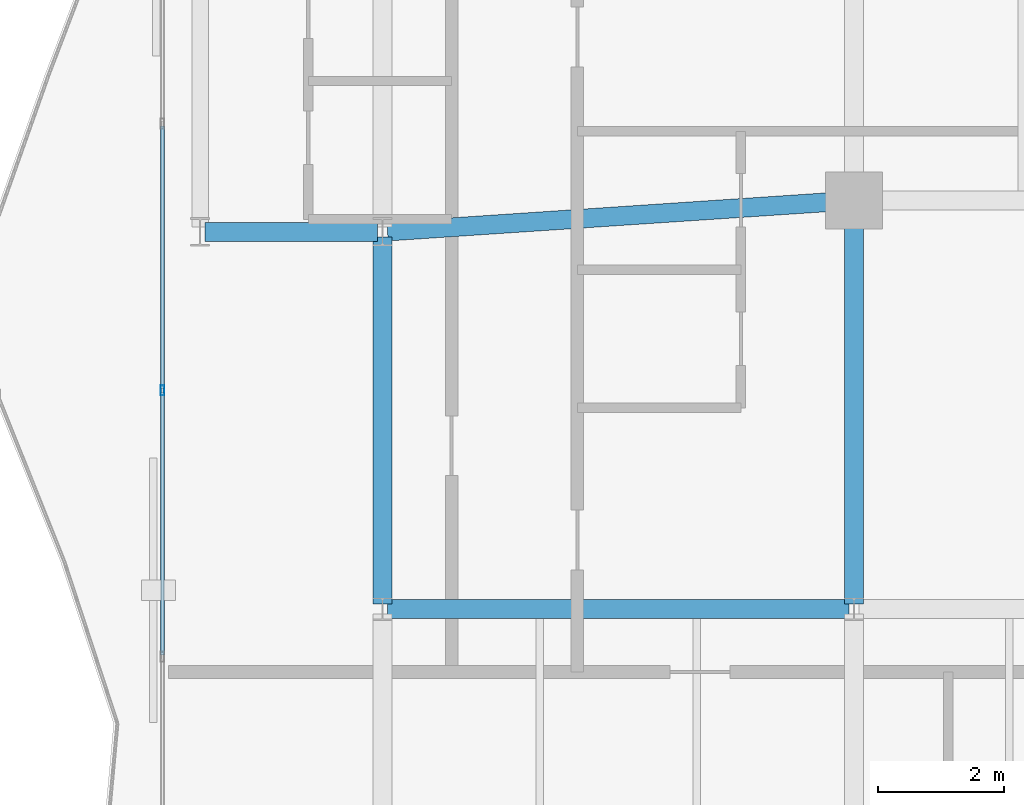
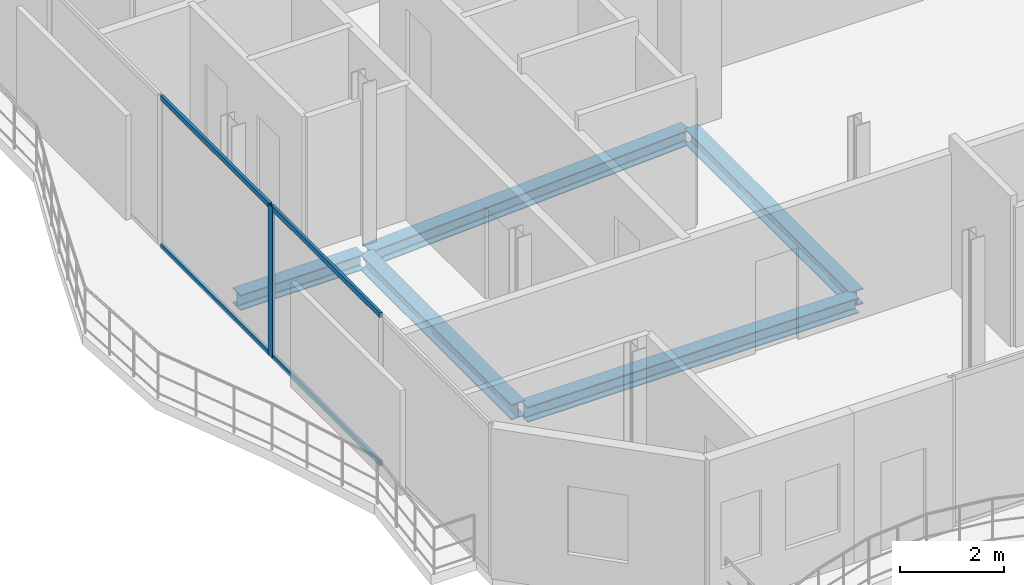
# One storey, part 6 of 23: 5 beams, 5 members, 1 element without a shape of its own.
"""IFC4 building model written with IfcOpenShell, lengths in metres."""

from ifc_helpers import new_model, si_unit, direction, frame, origin, origin_2d, place, context, subcontext, project, spatial, hollow_rectangle, i_section, extrude, material, layer, layer_set, material_profile, profile_set, type_object, element, aggregate, save


model = new_model("IFC4")

# Units and contexts
model_context = context("Model", 3, precision=1e-05, world=origin(), true_north=direction((0.0, 1.0)))
body_context = subcontext(model_context, "Body", "Model", "MODEL_VIEW")
ifc_project = project(units=[si_unit("LENGTHUNIT", "METRE"), si_unit("AREAUNIT", "SQUARE_METRE"), si_unit("VOLUMEUNIT", "CUBIC_METRE"), si_unit("PLANEANGLEUNIT", "RADIAN"), si_unit("MASSUNIT", "GRAM", prefix="KILO")], contexts=[model_context])

# Site, building, storey
site_placement = place(None, origin())
site = spatial("IfcSite", under=ifc_project, at=site_placement, CompositionType="ELEMENT")
building_placement = place(site_placement, origin())
building = spatial("IfcBuilding", under=site, at=building_placement, Name="Catumbela Crestline Tower", CompositionType="ELEMENT")
storey_placement = place(building_placement, frame((0.0, 0.0, 245.0)))
storey = spatial("IfcBuildingStorey", under=building, at=storey_placement, Name="L63", CompositionType="ELEMENT", Elevation=245.0)

# Beams
ifc_material_1 = material(Name="Structural steel S355J2", Category="steel")
ifc_material_profile_1 = material_profile(ifc_material_1, i_section(OverallWidth=0.3, OverallDepth=0.36, WebThickness=0.0125, FlangeThickness=0.0225, FilletRadius=0.027, at=origin_2d()), Name="HEB 360")
ifc_profile_set_1 = profile_set([ifc_material_profile_1], Name="Structural steel S355J2")
beam_type = type_object("IfcBeamType", Name="BG-HEB360", PredefinedType="BEAM", material=ifc_profile_set_1)
beam_1_placement = place(storey_placement, frame((5.68, 24.0, -0.44), z_axis=(1.0, 0.0, 0.0), x_axis=(0.0, 1.0, 0.0)))
element("IfcBeam", 1, at=beam_1_placement, inside=storey, type_object=beam_type, Name="L63 Beam BM-L63-S01", PredefinedType="BEAM", context=body_context, shape_type="SweptSolid", body=[
    extrude(i_section(OverallWidth=0.3, OverallDepth=0.36, WebThickness=0.0125, FlangeThickness=0.0225, FilletRadius=0.027, at=origin_2d()), origin(), (0.0, 0.0, 1.0), 2.74),
])
beam_2_placement = place(storey_placement, frame((8.5798, 24.0053, -0.44), z_axis=(0.997784796964, 0.066524423687, 0.0), x_axis=(-0.066524423687, 0.997784796964, 0.0)))
element("IfcBeam", 2, at=beam_2_placement, inside=storey, type_object=beam_type, Name="L63 Beam BM-L63-S02", PredefinedType="BEAM", context=body_context, shape_type="SweptSolid", body=[
    extrude(i_section(OverallWidth=0.3, OverallDepth=0.36, WebThickness=0.0125, FlangeThickness=0.0225, FilletRadius=0.027, at=origin_2d()), origin(), (0.0, 0.0, 1.0), 7.3567),
])
beam_3_placement = place(storey_placement, frame((8.58, 18.0, -0.44), z_axis=(1.0, 0.0, 0.0), x_axis=(0.0, 1.0, 0.0)))
element("IfcBeam", 3, at=beam_3_placement, inside=storey, type_object=beam_type, Name="L63 Beam BM-L63-WEW29", PredefinedType="BEAM", context=body_context, shape_type="SweptSolid", body=[
    extrude(i_section(OverallWidth=0.3, OverallDepth=0.36, WebThickness=0.0125, FlangeThickness=0.0225, FilletRadius=0.027, at=origin_2d()), origin(), (0.0, 0.0, 1.0), 7.34),
])
beam_4_placement = place(storey_placement, frame((8.5, 18.08, -0.44), z_axis=(0.0, 1.0, 0.0), x_axis=(-1.0, 0.0, 0.0)))
element("IfcBeam", 4, at=beam_4_placement, inside=storey, type_object=beam_type, Name="L63 Beam BM-L63-WNS32", PredefinedType="BEAM", context=body_context, shape_type="SweptSolid", body=[
    extrude(i_section(OverallWidth=0.3, OverallDepth=0.36, WebThickness=0.0125, FlangeThickness=0.0225, FilletRadius=0.027, at=origin_2d()), origin(), (0.0, 0.0, 1.0), 5.84),
])
beam_5_placement = place(storey_placement, frame((16.0, 18.08, -0.44), z_axis=(0.0, 1.0, 0.0), x_axis=(-1.0, 0.0, 0.0)))
element("IfcBeam", 5, at=beam_5_placement, inside=storey, type_object=beam_type, Name="L63 Beam BM-L63-WNS34", PredefinedType="BEAM", context=body_context, shape_type="SweptSolid", body=[
    extrude(i_section(OverallWidth=0.3, OverallDepth=0.36, WebThickness=0.0125, FlangeThickness=0.0225, FilletRadius=0.027, at=origin_2d()), origin(), (0.0, 0.0, 1.0), 6.34),
])

# Curtain wall, members
ifc_material_2 = material(Name="Aluminium alloy AW-6060-T66", Category="aluminium")
ifc_layer = layer(ifc_material_2, 0.18, Name="Aluminium alloy AW-6060-T66")
ifc_layer_set = layer_set([ifc_layer], Name="Aluminium alloy AW-6060-T66")
curtain_wall_type = type_object("IfcCurtainWallType", Name="CWU-Z4", PredefinedType="USERDEFINED", material=ifc_layer_set)
curtain_wall_placement = place(storey_placement, origin())
curtain_wall = element("IfcCurtainWall", 6, at=curtain_wall_placement, inside=storey, type_object=curtain_wall_type, Name="L63 Unitised Curtain Wall CW-L63-E9S2", ObjectType="UNITISED", PredefinedType="USERDEFINED")
ifc_material_profile_2 = material_profile(ifc_material_2, hollow_rectangle(XDim=0.06, YDim=0.16, WallThickness=0.004, at=origin_2d()), Name="ALU 160x60x4")
ifc_profile_set_2 = profile_set([ifc_material_profile_2], Name="Aluminium alloy AW-6060-T66")
member_type_1 = type_object("IfcMemberType", Name="MUL-160X60", PredefinedType="MULLION", material=ifc_profile_set_2)
member_1_placement = place(storey_placement, frame((5.0, 21.48, 0.0), z_axis=(0.0, 0.0, 1.0), x_axis=(1.0, 0.0, 0.0)))
member_1 = element("IfcMember", 7, at=member_1_placement, type_object=member_type_1, Name="CWU-Z4 mullion 4", PredefinedType="MULLION", context=body_context, shape_type="SweptSolid", body=[
    extrude(hollow_rectangle(XDim=0.06, YDim=0.16, WallThickness=0.004, at=origin_2d()), origin(), (0.0, 0.0, 1.0), 3.53),
])
ifc_material_profile_3 = material_profile(ifc_material_2, hollow_rectangle(XDim=0.06, YDim=0.12, WallThickness=0.0035, at=origin_2d()), Name="ALU 120x60x3.5")
ifc_profile_set_3 = profile_set([ifc_material_profile_3], Name="Aluminium alloy AW-6060-T66")
member_type_2 = type_object("IfcMemberType", Name="TRN-120X60", PredefinedType="USERDEFINED", material=ifc_profile_set_3)
member_2_placement = place(storey_placement, frame((5.0, 25.6875, 0.03), z_axis=(0.0, -1.0, 0.0), x_axis=(1.0, 0.0, 0.0)))
member_2 = element("IfcMember", 8, at=member_2_placement, type_object=member_type_2, Name="CWU-Z4 transom 3.1", ObjectType="TRANSOM", PredefinedType="USERDEFINED", context=body_context, shape_type="SweptSolid", body=[
    extrude(hollow_rectangle(XDim=0.06, YDim=0.12, WallThickness=0.0035, at=origin_2d()), origin(), (0.0, 0.0, 1.0), 4.175),
])
member_3_placement = place(storey_placement, frame((5.0, 25.6875, 3.5), z_axis=(0.0, -1.0, 0.0), x_axis=(1.0, 0.0, 0.0)))
member_3 = element("IfcMember", 9, at=member_3_placement, type_object=member_type_2, Name="CWU-Z4 transom 3.2", ObjectType="TRANSOM", PredefinedType="USERDEFINED", context=body_context, shape_type="SweptSolid", body=[
    extrude(hollow_rectangle(XDim=0.06, YDim=0.12, WallThickness=0.0035, at=origin_2d()), origin(), (0.0, 0.0, 1.0), 4.175),
])
member_4_placement = place(storey_placement, frame((5.0, 21.4475, 0.03), z_axis=(0.0, -1.0, 0.0), x_axis=(1.0, 0.0, 0.0)))
member_4 = element("IfcMember", 10, at=member_4_placement, type_object=member_type_2, Name="CWU-Z4 transom 4.1", ObjectType="TRANSOM", PredefinedType="USERDEFINED", context=body_context, shape_type="SweptSolid", body=[
    extrude(hollow_rectangle(XDim=0.06, YDim=0.12, WallThickness=0.0035, at=origin_2d()), origin(), (0.0, 0.0, 1.0), 4.175),
])
member_5_placement = place(storey_placement, frame((5.0, 21.4475, 3.5), z_axis=(0.0, -1.0, 0.0), x_axis=(1.0, 0.0, 0.0)))
member_5 = element("IfcMember", 11, at=member_5_placement, type_object=member_type_2, Name="CWU-Z4 transom 4.2", ObjectType="TRANSOM", PredefinedType="USERDEFINED", context=body_context, shape_type="SweptSolid", body=[
    extrude(hollow_rectangle(XDim=0.06, YDim=0.12, WallThickness=0.0035, at=origin_2d()), origin(), (0.0, 0.0, 1.0), 4.175),
])
aggregate(curtain_wall, [member_1, member_2, member_3, member_4, member_5])

save(model, "model.ifc")
